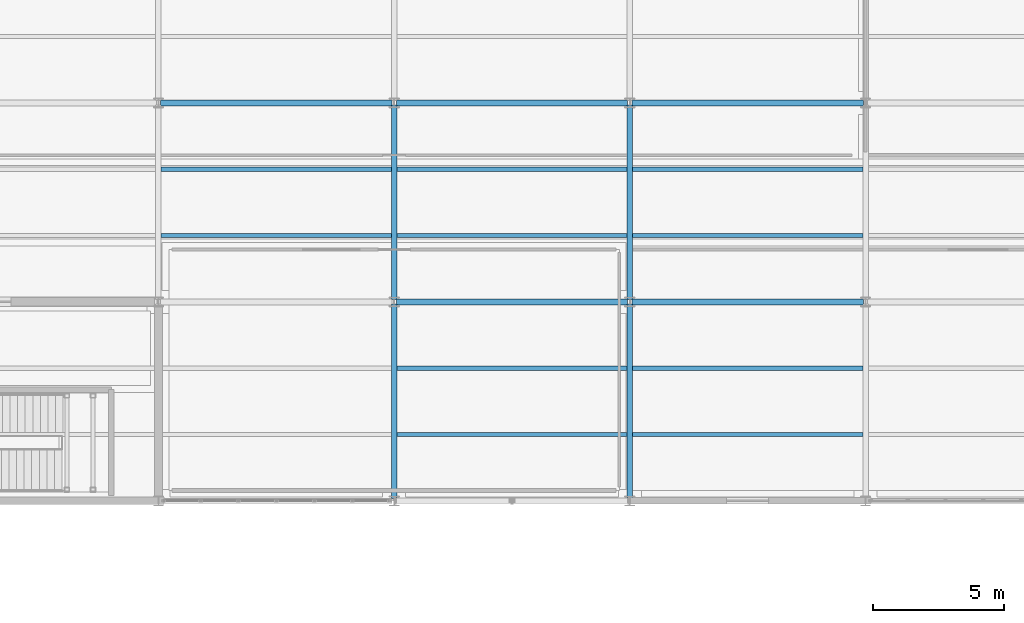
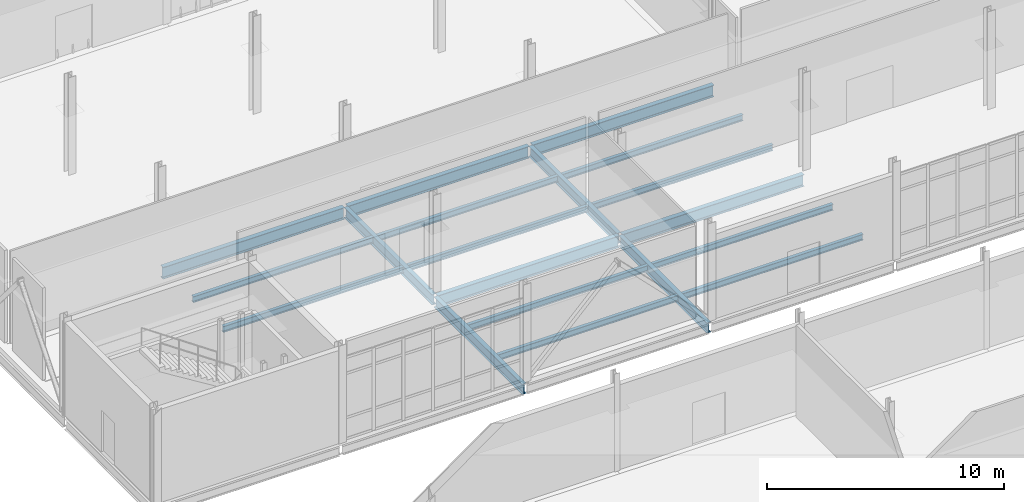
# One storey, part 41 of 161: 19 beams.
"""IFC4 building model written with IfcOpenShell, lengths in metres."""

from ifc_helpers import new_model, si_unit, direction, frame, origin, origin_2d, place, context, subcontext, project, spatial, i_section, extrude, material, material_profile, profile_set, type_object, element, save


model = new_model("IFC4")

# Units and contexts
model_context = context("Model", 3, precision=1e-05, world=origin(), true_north=direction((0.0, 1.0)))
body_context = subcontext(model_context, "Body", "Model", "MODEL_VIEW")
ifc_project = project(units=[si_unit("LENGTHUNIT", "METRE"), si_unit("AREAUNIT", "SQUARE_METRE"), si_unit("VOLUMEUNIT", "CUBIC_METRE"), si_unit("PLANEANGLEUNIT", "RADIAN"), si_unit("MASSUNIT", "GRAM", prefix="KILO")], contexts=[model_context])

# Site, building, storey
site_placement = place(None, origin())
site = spatial("IfcSite", under=ifc_project, at=site_placement, CompositionType="ELEMENT")
building_placement = place(site_placement, origin())
building = spatial("IfcBuilding", under=site, at=building_placement, Name="Caisbarro Railhouse Central Library", CompositionType="ELEMENT")
storey_placement = place(building_placement, origin())
storey = spatial("IfcBuildingStorey", under=building, at=storey_placement, Name="L00", CompositionType="ELEMENT", Elevation=0.0)

# Beams
ifc_material = material(Name="Steel ASTM A572 Grade 50", Category="steel")
ifc_material_profile_1 = material_profile(ifc_material, i_section(OverallWidth=0.22802734375, OverallDepth=0.60791015625, WebThickness=0.01123046875, FlangeThickness=0.017333984375, FilletRadius=0.02197265625, at=origin_2d()), Name="W610X113.0")
ifc_profile_set_1 = profile_set([ifc_material_profile_1], Name="Steel ASTM A572 Grade 50")
beam_type_1 = type_object("IfcBeamType", Name="BM-G04", PredefinedType="BEAM", material=ifc_profile_set_1)
for number, where, z_axis, x_axis, name in (
    (1, (18.080078125, 38.0, -0.553955078125), (1.0, 0.0, 0.0), (0.0, 1.0, 0.0), "G04 beam L00 #253"),
    (2, (27.080078125, 38.0, -0.553955078125), (1.0, 0.0, 0.0), (0.0, 1.0, 0.0), "G04 beam L00 #254"),
    (3, (9.080078125, 45.60009765625, -0.553955078125), (1.0, 0.0, 0.0), (0.0, 1.0, 0.0), "G04 beam L00 #260"),
    (4, (18.080078125, 45.60009765625, -0.553955078125), (1.0, 0.0, 0.0), (0.0, 1.0, 0.0), "G04 beam L00 #261"),
    (5, (27.080078125, 45.60009765625, -0.553955078125), (1.0, 0.0, 0.0), (0.0, 1.0, 0.0), "G04 beam L00 #262"),
):
    element("IfcBeam", number, at=place(storey_placement, frame(where, z_axis=z_axis, x_axis=x_axis)), inside=storey, type_object=beam_type_1, Name=name, PredefinedType="BEAM", context=body_context, shape_type="SweptSolid", body=[
        extrude(i_section(OverallWidth=0.22802734375, OverallDepth=0.60791015625, WebThickness=0.01123046875, FlangeThickness=0.017333984375, FilletRadius=0.02197265625, at=origin_2d()), origin(), (0.0, 0.0, 1.0), 8.83984375),
    ])
ifc_material_profile_2 = material_profile(ifc_material, i_section(OverallWidth=0.208984375, OverallDepth=0.532958984375, WebThickness=0.01025390625, FlangeThickness=0.015625, FilletRadius=0.02001953125, at=origin_2d()), Name="W530X92.0")
ifc_profile_set_2 = profile_set([ifc_material_profile_2], Name="Steel ASTM A572 Grade 50")
beam_type_2 = type_object("IfcBeamType", Name="BM-G06", PredefinedType="BEAM", material=ifc_profile_set_2)
for number, where, z_axis, x_axis, name in (
    (6, (18.0, 30.47998046875, -0.5166015625), (0.0, 1.0, 0.0), (-1.0, 0.0, 0.0), "G06 beam L00 #291"),
    (7, (18.0, 38.080078125, -0.5166015625), (0.0, 1.0, 0.0), (-1.0, 0.0, 0.0), "G06 beam L00 #292"),
    (8, (27.0, 30.47998046875, -0.5166015625), (0.0, 1.0, 0.0), (-1.0, 0.0, 0.0), "G06 beam L00 #295"),
    (9, (27.0, 38.080078125, -0.5166015625), (0.0, 1.0, 0.0), (-1.0, 0.0, 0.0), "G06 beam L00 #296"),
):
    element("IfcBeam", number, at=place(storey_placement, frame(where, z_axis=z_axis, x_axis=x_axis)), inside=storey, type_object=beam_type_2, Name=name, PredefinedType="BEAM", context=body_context, shape_type="SweptSolid", body=[
        extrude(i_section(OverallWidth=0.208984375, OverallDepth=0.532958984375, WebThickness=0.01025390625, FlangeThickness=0.015625, FilletRadius=0.02001953125, at=origin_2d()), origin(), (0.0, 0.0, 1.0), 7.43994140625),
    ])
ifc_material_profile_3 = material_profile(ifc_material, i_section(OverallWidth=0.1650390625, OverallDepth=0.31005859375, WebThickness=0.005859375, FlangeThickness=0.009765625, FilletRadius=0.011962890625, at=origin_2d()), Name="W310X38.7")
ifc_profile_set_3 = profile_set([ifc_material_profile_3], Name="Steel ASTM A572 Grade 50")
beam_type_3 = type_object("IfcBeamType", Name="BM-J03", PredefinedType="JOIST", material=ifc_profile_set_3)
for number, where, z_axis, x_axis, name in (
    (10, (9.1044921875, 40.533203125, -0.405029296875), (1.0, 0.0, 0.0), (0.0, 1.0, 0.0), "J03 beam L00 #329"),
    (11, (9.1044921875, 43.066650390625, -0.405029296875), (1.0, 0.0, 0.0), (0.0, 1.0, 0.0), "J03 beam L00 #330"),
    (12, (18.1044921875, 32.933349609375, -0.405029296875), (1.0, 0.0, 0.0), (0.0, 1.0, 0.0), "J03 beam L00 #335"),
    (13, (18.1044921875, 35.466796875, -0.405029296875), (1.0, 0.0, 0.0), (0.0, 1.0, 0.0), "J03 beam L00 #336"),
    (14, (18.1044921875, 40.533203125, -0.405029296875), (1.0, 0.0, 0.0), (0.0, 1.0, 0.0), "J03 beam L00 #337"),
    (15, (18.1044921875, 43.066650390625, -0.405029296875), (1.0, 0.0, 0.0), (0.0, 1.0, 0.0), "J03 beam L00 #338"),
    (16, (27.1044921875, 32.933349609375, -0.405029296875), (1.0, 0.0, 0.0), (0.0, 1.0, 0.0), "J03 beam L00 #343"),
    (17, (27.1044921875, 35.466796875, -0.405029296875), (1.0, 0.0, 0.0), (0.0, 1.0, 0.0), "J03 beam L00 #344"),
    (18, (27.1044921875, 40.533203125, -0.405029296875), (1.0, 0.0, 0.0), (0.0, 1.0, 0.0), "J03 beam L00 #345"),
    (19, (27.1044921875, 43.066650390625, -0.405029296875), (1.0, 0.0, 0.0), (0.0, 1.0, 0.0), "J03 beam L00 #346"),
):
    element("IfcBeam", number, at=place(storey_placement, frame(where, z_axis=z_axis, x_axis=x_axis)), inside=storey, type_object=beam_type_3, Name=name, PredefinedType="JOIST", context=body_context, shape_type="SweptSolid", body=[
        extrude(i_section(OverallWidth=0.1650390625, OverallDepth=0.31005859375, WebThickness=0.005859375, FlangeThickness=0.009765625, FilletRadius=0.011962890625, at=origin_2d()), origin(), (0.0, 0.0, 1.0), 8.791015625),
    ])

save(model, "model.ifc")
